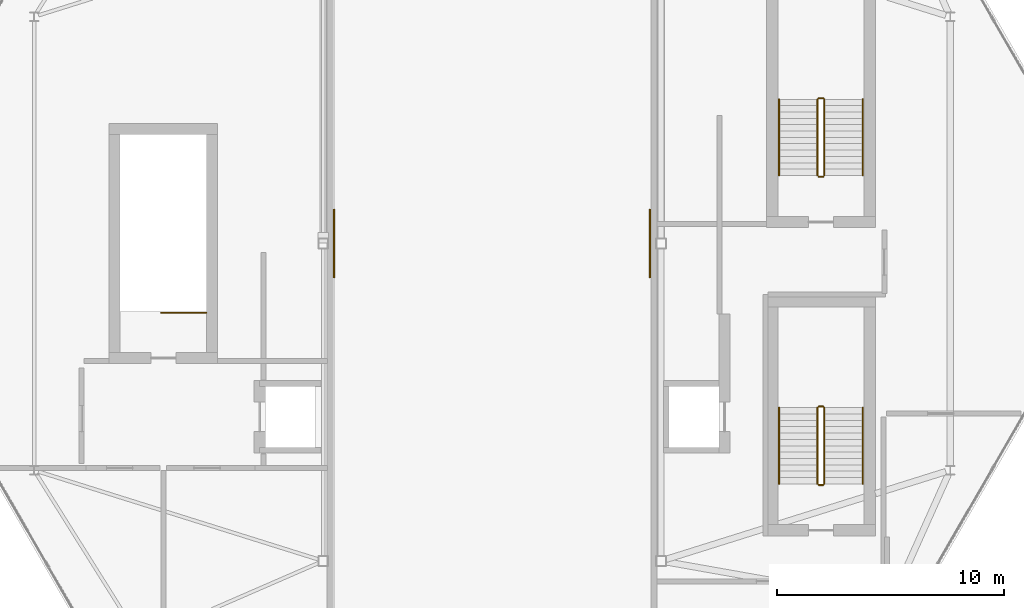
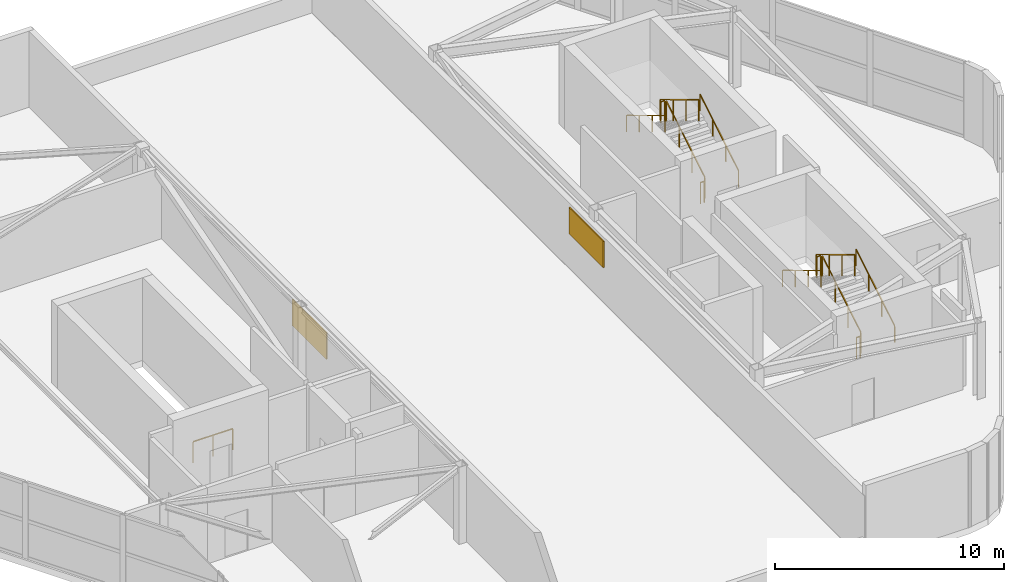
# One storey, part 14 of 14: 13 railings, 2 shading devices.
"""IFC4 building model written with IfcOpenShell, lengths in metres."""

from ifc_helpers import new_model, si_unit, direction, frame, origin, origin_2d, place, context, subcontext, project, spatial, rectangle, extrude, material, layer, layer_set, type_object, element, save


model = new_model("IFC4")

# Units and contexts
model_context = context("Model", 3, precision=1e-05, world=origin(), true_north=direction((0.0, 1.0)))
body_context = subcontext(model_context, "Body", "Model", "MODEL_VIEW")
ifc_project = project(units=[si_unit("LENGTHUNIT", "METRE"), si_unit("AREAUNIT", "SQUARE_METRE"), si_unit("VOLUMEUNIT", "CUBIC_METRE"), si_unit("PLANEANGLEUNIT", "RADIAN"), si_unit("MASSUNIT", "GRAM", prefix="KILO")], contexts=[model_context])

# Site, building, storey
site_placement = place(None, origin())
site = spatial("IfcSite", under=ifc_project, at=site_placement, CompositionType="ELEMENT")
building_placement = place(site_placement, origin())
building = spatial("IfcBuilding", under=site, at=building_placement, Name="Zuhravey Tower", CompositionType="ELEMENT")
storey_placement = place(building_placement, frame((0.0, 0.0, 379.0)))
storey = spatial("IfcBuildingStorey", under=building, at=storey_placement, Name="L96", CompositionType="ELEMENT", Elevation=379.0)

# Shading devices
ifc_material_1 = material(Name="Bronze-anodised perforated aluminium", Category="aluminium")
ifc_layer = layer(ifc_material_1, 0.06005859375)
ifc_layer_set = layer_set([ifc_layer], Name="Bronze-anodised perforated aluminium")
shading_device_type = type_object("IfcShadingDeviceType", Name="Girih Mashrabiya Solar Screen", PredefinedType="USERDEFINED", material=ifc_layer_set)
for number, where, z_axis, x_axis, name in (
    (1, (29.030029296875, 32.0, 1.900146484375), (0.0, 0.0, 1.0), (0.0, 1.0, 0.0), "L96 WEST Wind-Portal Girih Screen SCR1"),
    (2, (42.969970703125, 32.0, 1.900146484375), (0.0, 0.0, 1.0), (0.0, 1.0, 0.0), "L96 EAST Wind-Portal Girih Screen SCR1"),
):
    element("IfcShadingDevice", number, at=place(storey_placement, frame(where, z_axis=z_axis, x_axis=x_axis)), inside=storey, type_object=shading_device_type, Name=name, ObjectType="SCREEN", PredefinedType="USERDEFINED", context=body_context, shape_type="SweptSolid", body=[
        extrude(rectangle(XDim=3.0, YDim=0.06005859375, at=origin_2d()), origin(), (0.0, 0.0, 1.0), 1.39990234375),
    ])

# Railings
ifc_material_2 = material(Name="Brushed stainless steel", Category="steel")
railing_type_1 = type_object("IfcRailingType", Name="Stair Wall Handrail 900", PredefinedType="HANDRAIL", material=ifc_material_2)
railing_1_placement = place(storey_placement, frame((52.35009765625, 21.39990234375, 0.169189453125)))
element("IfcRailing", 3, at=railing_1_placement, inside=storey, type_object=railing_type_1, Name="L96 CST2 stair handrail 1", PredefinedType="HANDRAIL", context=body_context, shape_type="SweptSolid", body=[
    extrude(rectangle(XDim=0.048095703125, YDim=0.048095703125, at=origin_2d()), frame((0.0, 0.001708984375, 0.876953125), z_axis=(0.0, 0.855836976705, 0.517245656632), x_axis=(-1.0, 0.0, 0.0)), (0.0, 0.0, 1.0), 3.922119140625),
    extrude(rectangle(XDim=0.0419921875, YDim=0.0419921875, at=origin_2d()), origin(), (0.0, 0.0, 1.0), 0.849853515625),
    extrude(rectangle(XDim=0.0419921875, YDim=0.0419921875, at=origin_2d()), frame((0.0, 1.1201171875, 0.677001953125)), (0.0, 0.0, 1.0), 0.849853515625),
    extrude(rectangle(XDim=0.0419921875, YDim=0.0419921875, at=origin_2d()), frame((0.0, 2.239990234375, 1.353759765625)), (0.0, 0.0, 1.0), 0.849853515625),
    extrude(rectangle(XDim=0.0419921875, YDim=0.0419921875, at=origin_2d()), frame((0.0, 3.360107421875, 2.03076171875)), (0.0, 0.0, 1.0), 0.849853515625),
])
railing_2_placement = place(storey_placement, frame((48.64990234375, 24.760009765625, 2.369140625)))
element("IfcRailing", 4, at=railing_2_placement, inside=storey, type_object=railing_type_1, Name="L96 CST2 stair handrail 2", PredefinedType="HANDRAIL", context=body_context, shape_type="SweptSolid", body=[
    extrude(rectangle(XDim=0.048095703125, YDim=0.048095703125, at=origin_2d()), frame((0.0, -0.001708984375, 0.876953125), z_axis=(0.0, -0.855836976705, 0.517245656632), x_axis=(1.0, 0.0, 0.0)), (0.0, 0.0, 1.0), 3.922119140625),
    extrude(rectangle(XDim=0.0419921875, YDim=0.0419921875, at=origin_2d()), origin(), (0.0, 0.0, 1.0), 0.849853515625),
    extrude(rectangle(XDim=0.0419921875, YDim=0.0419921875, at=origin_2d()), frame((0.0, -1.1201171875, 0.677001953125)), (0.0, 0.0, 1.0), 0.849853515625),
    extrude(rectangle(XDim=0.0419921875, YDim=0.0419921875, at=origin_2d()), frame((0.0, -2.239990234375, 1.353759765625)), (0.0, 0.0, 1.0), 0.849853515625),
    extrude(rectangle(XDim=0.0419921875, YDim=0.0419921875, at=origin_2d()), frame((0.0, -3.360107421875, 2.03076171875)), (0.0, 0.0, 1.0), 0.849853515625),
])
railing_3_placement = place(storey_placement, frame((52.35009765625, 35.0, 0.169189453125)))
element("IfcRailing", 5, at=railing_3_placement, inside=storey, type_object=railing_type_1, Name="L96 CST3 stair handrail 1", PredefinedType="HANDRAIL", context=body_context, shape_type="SweptSolid", body=[
    extrude(rectangle(XDim=0.048095703125, YDim=0.048095703125, at=origin_2d()), frame((0.0, 0.001708984375, 0.876953125), z_axis=(0.0, 0.855836976705, 0.517245656632), x_axis=(-1.0, 0.0, 0.0)), (0.0, 0.0, 1.0), 3.922119140625),
    extrude(rectangle(XDim=0.0419921875, YDim=0.0419921875, at=origin_2d()), origin(), (0.0, 0.0, 1.0), 0.849853515625),
    extrude(rectangle(XDim=0.0419921875, YDim=0.0419921875, at=origin_2d()), frame((0.0, 1.1201171875, 0.677001953125)), (0.0, 0.0, 1.0), 0.849853515625),
    extrude(rectangle(XDim=0.0419921875, YDim=0.0419921875, at=origin_2d()), frame((0.0, 2.239990234375, 1.353759765625)), (0.0, 0.0, 1.0), 0.849853515625),
    extrude(rectangle(XDim=0.0419921875, YDim=0.0419921875, at=origin_2d()), frame((0.0, 3.360107421875, 2.03076171875)), (0.0, 0.0, 1.0), 0.849853515625),
])
railing_4_placement = place(storey_placement, frame((48.64990234375, 38.360107421875, 2.369140625)))
element("IfcRailing", 6, at=railing_4_placement, inside=storey, type_object=railing_type_1, Name="L96 CST3 stair handrail 2", PredefinedType="HANDRAIL", context=body_context, shape_type="SweptSolid", body=[
    extrude(rectangle(XDim=0.048095703125, YDim=0.048095703125, at=origin_2d()), frame((0.0, -0.001708984375, 0.876953125), z_axis=(0.0, -0.855836976705, 0.517245656632), x_axis=(1.0, 0.0, 0.0)), (0.0, 0.0, 1.0), 3.922119140625),
    extrude(rectangle(XDim=0.0419921875, YDim=0.0419921875, at=origin_2d()), origin(), (0.0, 0.0, 1.0), 0.849853515625),
    extrude(rectangle(XDim=0.0419921875, YDim=0.0419921875, at=origin_2d()), frame((0.0, -1.1201171875, 0.677001953125)), (0.0, 0.0, 1.0), 0.849853515625),
    extrude(rectangle(XDim=0.0419921875, YDim=0.0419921875, at=origin_2d()), frame((0.0, -2.239990234375, 1.353759765625)), (0.0, 0.0, 1.0), 0.849853515625),
    extrude(rectangle(XDim=0.0419921875, YDim=0.0419921875, at=origin_2d()), frame((0.0, -3.360107421875, 2.03076171875)), (0.0, 0.0, 1.0), 0.849853515625),
])
ifc_material_3 = material(Name="Painted tubular steel", Category="steel")
railing_type_2 = type_object("IfcRailingType", Name="Stair Well Guardrail 1150", PredefinedType="GUARDRAIL", material=ifc_material_3)
railing_5_placement = place(storey_placement, frame((23.39990234375, 28.949951171875, 0.0)))
element("IfcRailing", 7, at=railing_5_placement, inside=storey, type_object=railing_type_2, Name="L96 CST1 top well guard 1", PredefinedType="GUARDRAIL", context=body_context, shape_type="SweptSolid", body=[
    extrude(rectangle(XDim=0.048095703125, YDim=0.048095703125, at=origin_2d()), frame((-0.001953125, 0.0, 1.1259765625), z_axis=(-1.0, 0.0, 0.0), x_axis=(0.0, -1.0, 0.0)), (0.0, 0.0, 1.0), 1.99609375),
    extrude(rectangle(XDim=0.0419921875, YDim=0.0419921875, at=origin_2d()), origin(), (0.0, 0.0, 1.0), 1.099853515625),
    extrude(rectangle(XDim=0.0419921875, YDim=0.0419921875, at=origin_2d()), frame((-1.0, 0.0, 0.0)), (0.0, 0.0, 1.0), 1.099853515625),
    extrude(rectangle(XDim=0.0419921875, YDim=0.0419921875, at=origin_2d()), frame((-2.0, 0.0, 0.0)), (0.0, 0.0, 1.0), 1.099853515625),
])
railing_6_placement = place(storey_placement, frame((50.64990234375, 21.39990234375, 0.169189453125)))
element("IfcRailing", 8, at=railing_6_placement, inside=storey, type_object=railing_type_2, Name="L96 CST2 stair guard 1", PredefinedType="GUARDRAIL", context=body_context, shape_type="SweptSolid", body=[
    extrude(rectangle(XDim=0.048095703125, YDim=0.048095703125, at=origin_2d()), frame((0.0, 0.001708984375, 1.126953125), z_axis=(0.0, 0.855836976705, 0.517245656632), x_axis=(-1.0, 0.0, 0.0)), (0.0, 0.0, 1.0), 3.922119140625),
    extrude(rectangle(XDim=0.0419921875, YDim=0.0419921875, at=origin_2d()), origin(), (0.0, 0.0, 1.0), 1.099853515625),
    extrude(rectangle(XDim=0.0419921875, YDim=0.0419921875, at=origin_2d()), frame((0.0, 1.1201171875, 0.677001953125)), (0.0, 0.0, 1.0), 1.099853515625),
    extrude(rectangle(XDim=0.0419921875, YDim=0.0419921875, at=origin_2d()), frame((0.0, 2.239990234375, 1.353759765625)), (0.0, 0.0, 1.0), 1.099853515625),
    extrude(rectangle(XDim=0.0419921875, YDim=0.0419921875, at=origin_2d()), frame((0.0, 3.360107421875, 2.03076171875)), (0.0, 0.0, 1.0), 1.099853515625),
])
railing_7_placement = place(storey_placement, frame((50.60009765625, 24.81005859375, 2.199951171875)))
element("IfcRailing", 9, at=railing_7_placement, inside=storey, type_object=railing_type_2, Name="L96 CST2 stair guard 2", PredefinedType="GUARDRAIL", context=body_context, shape_type="SweptSolid", body=[
    extrude(rectangle(XDim=0.048095703125, YDim=0.048095703125, at=origin_2d()), frame((-0.001953125, 0.0, 1.1259765625), z_axis=(-1.0, 0.0, 0.0), x_axis=(0.0, -1.0, 0.0)), (0.0, 0.0, 1.0), 0.1962890625),
    extrude(rectangle(XDim=0.0419921875, YDim=0.0419921875, at=origin_2d()), origin(), (0.0, 0.0, 1.0), 1.099853515625),
    extrude(rectangle(XDim=0.0419921875, YDim=0.0419921875, at=origin_2d()), frame((-0.2001953125, 0.0, 0.0)), (0.0, 0.0, 1.0), 1.099853515625),
])
railing_8_placement = place(storey_placement, frame((50.35009765625, 24.760009765625, 2.369140625)))
element("IfcRailing", 10, at=railing_8_placement, inside=storey, type_object=railing_type_2, Name="L96 CST2 stair guard 3", PredefinedType="GUARDRAIL", context=body_context, shape_type="SweptSolid", body=[
    extrude(rectangle(XDim=0.048095703125, YDim=0.048095703125, at=origin_2d()), frame((0.0, -0.001708984375, 1.126953125), z_axis=(0.0, -0.855836976705, 0.517245656632), x_axis=(1.0, 0.0, 0.0)), (0.0, 0.0, 1.0), 3.922119140625),
    extrude(rectangle(XDim=0.0419921875, YDim=0.0419921875, at=origin_2d()), origin(), (0.0, 0.0, 1.0), 1.099853515625),
    extrude(rectangle(XDim=0.0419921875, YDim=0.0419921875, at=origin_2d()), frame((0.0, -1.1201171875, 0.677001953125)), (0.0, 0.0, 1.0), 1.099853515625),
    extrude(rectangle(XDim=0.0419921875, YDim=0.0419921875, at=origin_2d()), frame((0.0, -2.239990234375, 1.353759765625)), (0.0, 0.0, 1.0), 1.099853515625),
    extrude(rectangle(XDim=0.0419921875, YDim=0.0419921875, at=origin_2d()), frame((0.0, -3.360107421875, 2.03076171875)), (0.0, 0.0, 1.0), 1.099853515625),
])
railing_9_placement = place(storey_placement, frame((50.60009765625, 21.35009765625, 0.0)))
element("IfcRailing", 11, at=railing_9_placement, inside=storey, type_object=railing_type_2, Name="L96 CST2 stair guard 4", PredefinedType="GUARDRAIL", context=body_context, shape_type="SweptSolid", body=[
    extrude(rectangle(XDim=0.048095703125, YDim=0.048095703125, at=origin_2d()), frame((-0.001953125, 0.0, 1.1259765625), z_axis=(-1.0, 0.0, 0.0), x_axis=(0.0, -1.0, 0.0)), (0.0, 0.0, 1.0), 0.1962890625),
    extrude(rectangle(XDim=0.0419921875, YDim=0.0419921875, at=origin_2d()), origin(), (0.0, 0.0, 1.0), 1.099853515625),
    extrude(rectangle(XDim=0.0419921875, YDim=0.0419921875, at=origin_2d()), frame((-0.2001953125, 0.0, 0.0)), (0.0, 0.0, 1.0), 1.099853515625),
])
railing_10_placement = place(storey_placement, frame((50.64990234375, 35.0, 0.169189453125)))
element("IfcRailing", 12, at=railing_10_placement, inside=storey, type_object=railing_type_2, Name="L96 CST3 stair guard 1", PredefinedType="GUARDRAIL", context=body_context, shape_type="SweptSolid", body=[
    extrude(rectangle(XDim=0.048095703125, YDim=0.048095703125, at=origin_2d()), frame((0.0, 0.001708984375, 1.126953125), z_axis=(0.0, 0.855836976705, 0.517245656632), x_axis=(-1.0, 0.0, 0.0)), (0.0, 0.0, 1.0), 3.922119140625),
    extrude(rectangle(XDim=0.0419921875, YDim=0.0419921875, at=origin_2d()), origin(), (0.0, 0.0, 1.0), 1.099853515625),
    extrude(rectangle(XDim=0.0419921875, YDim=0.0419921875, at=origin_2d()), frame((0.0, 1.1201171875, 0.677001953125)), (0.0, 0.0, 1.0), 1.099853515625),
    extrude(rectangle(XDim=0.0419921875, YDim=0.0419921875, at=origin_2d()), frame((0.0, 2.239990234375, 1.353759765625)), (0.0, 0.0, 1.0), 1.099853515625),
    extrude(rectangle(XDim=0.0419921875, YDim=0.0419921875, at=origin_2d()), frame((0.0, 3.360107421875, 2.03076171875)), (0.0, 0.0, 1.0), 1.099853515625),
])
railing_11_placement = place(storey_placement, frame((50.60009765625, 38.409912109375, 2.199951171875)))
element("IfcRailing", 13, at=railing_11_placement, inside=storey, type_object=railing_type_2, Name="L96 CST3 stair guard 2", PredefinedType="GUARDRAIL", context=body_context, shape_type="SweptSolid", body=[
    extrude(rectangle(XDim=0.048095703125, YDim=0.048095703125, at=origin_2d()), frame((-0.001953125, 0.0, 1.1259765625), z_axis=(-1.0, 0.0, 0.0), x_axis=(0.0, -1.0, 0.0)), (0.0, 0.0, 1.0), 0.1962890625),
    extrude(rectangle(XDim=0.0419921875, YDim=0.0419921875, at=origin_2d()), origin(), (0.0, 0.0, 1.0), 1.099853515625),
    extrude(rectangle(XDim=0.0419921875, YDim=0.0419921875, at=origin_2d()), frame((-0.2001953125, 0.0, 0.0)), (0.0, 0.0, 1.0), 1.099853515625),
])
railing_12_placement = place(storey_placement, frame((50.35009765625, 38.360107421875, 2.369140625)))
element("IfcRailing", 14, at=railing_12_placement, inside=storey, type_object=railing_type_2, Name="L96 CST3 stair guard 3", PredefinedType="GUARDRAIL", context=body_context, shape_type="SweptSolid", body=[
    extrude(rectangle(XDim=0.048095703125, YDim=0.048095703125, at=origin_2d()), frame((0.0, -0.001708984375, 1.126953125), z_axis=(0.0, -0.855836976705, 0.517245656632), x_axis=(1.0, 0.0, 0.0)), (0.0, 0.0, 1.0), 3.922119140625),
    extrude(rectangle(XDim=0.0419921875, YDim=0.0419921875, at=origin_2d()), origin(), (0.0, 0.0, 1.0), 1.099853515625),
    extrude(rectangle(XDim=0.0419921875, YDim=0.0419921875, at=origin_2d()), frame((0.0, -1.1201171875, 0.677001953125)), (0.0, 0.0, 1.0), 1.099853515625),
    extrude(rectangle(XDim=0.0419921875, YDim=0.0419921875, at=origin_2d()), frame((0.0, -2.239990234375, 1.353759765625)), (0.0, 0.0, 1.0), 1.099853515625),
    extrude(rectangle(XDim=0.0419921875, YDim=0.0419921875, at=origin_2d()), frame((0.0, -3.360107421875, 2.03076171875)), (0.0, 0.0, 1.0), 1.099853515625),
])
railing_13_placement = place(storey_placement, frame((50.60009765625, 34.949951171875, 0.0)))
element("IfcRailing", 15, at=railing_13_placement, inside=storey, type_object=railing_type_2, Name="L96 CST3 stair guard 4", PredefinedType="GUARDRAIL", context=body_context, shape_type="SweptSolid", body=[
    extrude(rectangle(XDim=0.048095703125, YDim=0.048095703125, at=origin_2d()), frame((-0.001953125, 0.0, 1.1259765625), z_axis=(-1.0, 0.0, 0.0), x_axis=(0.0, -1.0, 0.0)), (0.0, 0.0, 1.0), 0.1962890625),
    extrude(rectangle(XDim=0.0419921875, YDim=0.0419921875, at=origin_2d()), origin(), (0.0, 0.0, 1.0), 1.099853515625),
    extrude(rectangle(XDim=0.0419921875, YDim=0.0419921875, at=origin_2d()), frame((-0.2001953125, 0.0, 0.0)), (0.0, 0.0, 1.0), 1.099853515625),
])

save(model, "model.ifc")
